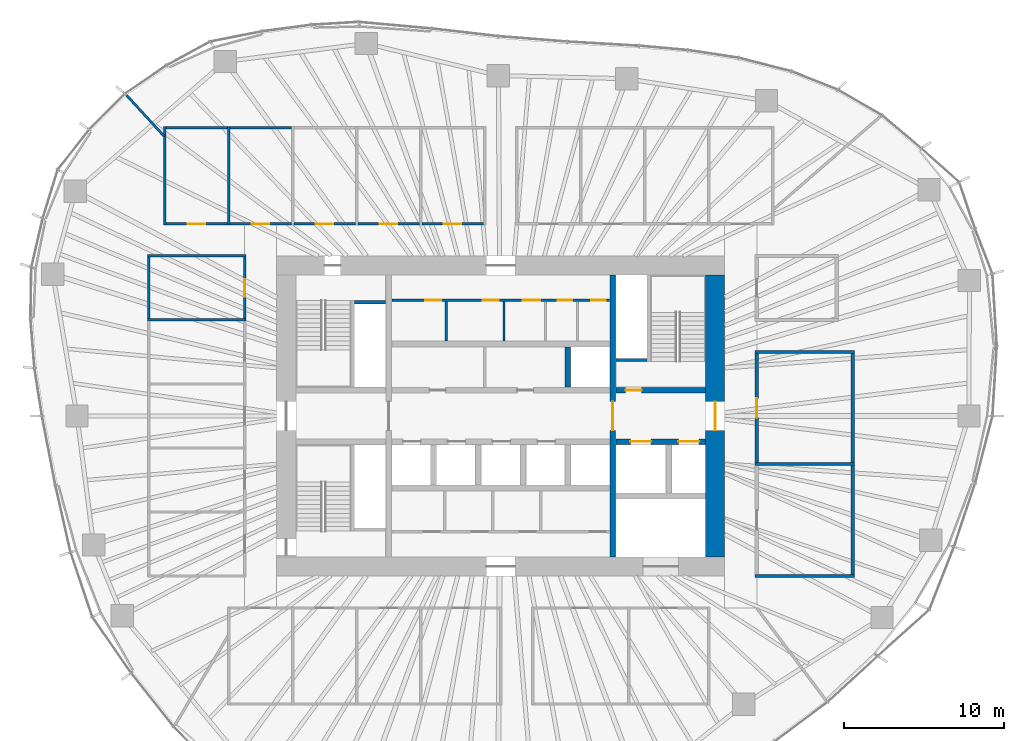
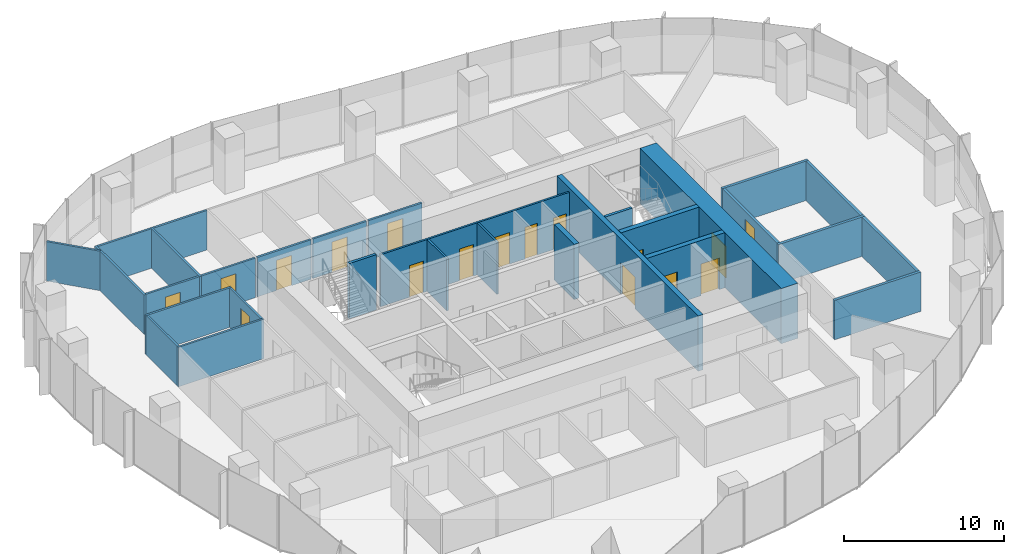
# One storey, part 10 of 18: 30 walls, 17 doors, 17 openings.
"""IFC4 building model written with IfcOpenShell, lengths in metres."""

from ifc_helpers import new_model, si_unit, direction, frame, frame_2d, origin, place, context, subcontext, project, spatial, rectangle, extrude, material, layer, layer_set, type_object, element, fill, save


model = new_model("IFC4")

# Units and contexts
model_context = context("Model", 3, precision=1e-05, world=origin(), true_north=direction((0.0, 1.0)))
body_context = subcontext(model_context, "Body", "Model", "MODEL_VIEW")
ifc_project = project(units=[si_unit("LENGTHUNIT", "METRE"), si_unit("AREAUNIT", "SQUARE_METRE"), si_unit("VOLUMEUNIT", "CUBIC_METRE"), si_unit("PLANEANGLEUNIT", "RADIAN"), si_unit("MASSUNIT", "GRAM", prefix="KILO")], contexts=[model_context])

# Site, building, storey
site_placement = place(None, origin())
site = spatial("IfcSite", under=ifc_project, at=site_placement, CompositionType="ELEMENT")
building_placement = place(site_placement, origin())
building = spatial("IfcBuilding", under=site, at=building_placement, Name="Ghaith Harvest Tower", CompositionType="ELEMENT")
storey_placement = place(building_placement, frame((0.0, 0.0, 168.0)))
storey = spatial("IfcBuildingStorey", under=building, at=storey_placement, Name="L36", CompositionType="ELEMENT", Elevation=168.0)

# Walls
ifc_material_1 = material(Name="Twin-stud gypsum board, acoustic", Category="gypsum")
ifc_layer_1 = layer(ifc_material_1, 0.199951171875)
ifc_layer_set_1 = layer_set([ifc_layer_1], Name="ACOUSTIC PARTITION 200")
wall_type_1 = type_object("IfcWallType", Name="ACOUSTIC PARTITION 200", PredefinedType="PARTITIONING", material=ifc_layer_set_1)
for number, where, z_axis, x_axis, name in (
    (1, (15.89990234375, -10.0, 0.0), (0.0, 0.0, 1.0), (1.0, 0.0, 0.0), "Partition L36 row E3 cross wall 1"),
    (2, (15.89990234375, -3.0, 0.0), (0.0, 0.0, 1.0), (1.0, 0.0, 0.0), "Partition L36 row E3 cross wall 2"),
    (3, (15.89990234375, 4.0, 0.0), (0.0, 0.0, 1.0), (1.0, 0.0, 0.0), "Partition L36 row E3 cross wall 3"),
):
    element("IfcWall", number, at=place(storey_placement, frame(where, z_axis=z_axis, x_axis=x_axis)), inside=storey, type_object=wall_type_1, Name=name, PredefinedType="PARTITIONING", context=body_context, shape_type="SweptSolid", body=[
        extrude(rectangle(XDim=6.2001953125, YDim=0.199951171875, at=frame_2d((3.10009765625, 0.0))), origin(), (0.0, 0.0, 1.0), 3.0),
    ])
wall_1_placement = place(storey_placement, frame((22.0, -9.89990234375, 0.0), z_axis=(0.0, 0.0, 1.0), x_axis=(0.0, 1.0, 0.0)))
element("IfcWall", 4, at=wall_1_placement, inside=storey, type_object=wall_type_1, Name="Partition L36-10", PredefinedType="PARTITIONING", context=body_context, shape_type="SweptSolid", body=[
    extrude(rectangle(XDim=6.7998046875, YDim=0.199951171875, at=frame_2d((3.39990234375, 0.0))), origin(), (0.0, 0.0, 1.0), 3.0),
])

# Wall, opening, door
wall_2_placement = place(storey_placement, frame((16.0, -2.89990234375, 0.0), z_axis=(0.0, 0.0, 1.0), x_axis=(0.0, 1.0, 0.0)))
wall_2 = element("IfcWall", 5, at=wall_2_placement, inside=storey, type_object=wall_type_1, Name="Partition L36-11", PredefinedType="PARTITIONING", context=body_context, shape_type="SweptSolid", body=[
    extrude(rectangle(XDim=6.7998046875, YDim=0.199951171875, at=frame_2d((3.39990234375, 0.0))), origin(), (0.0, 0.0, 1.0), 3.0),
])
opening_1_placement = place(wall_2_placement, frame((2.800048828125, 0.0, 0.0)))
opening_1 = element("IfcOpeningElement", 6, at=opening_1_placement, cuts=wall_2, Name="Opening 36-038", PredefinedType="OPENING", context=body_context, shape_type="SweptSolid", body=[
    extrude(rectangle(XDim=1.199951171875, YDim=2.39990234375, at=frame_2d((0.60009765625, 1.199951171875))), frame((0.0, 0.10986328125, 0.0), z_axis=(0.0, -1.0, 0.0), x_axis=(1.0, 0.0, 0.0)), (0.0, 0.0, 1.0), 0.219970703125),
])
ifc_material_2 = material(Name="Timber door", Category="wood")
door_type_1 = type_object("IfcDoorType", Name="D11 GLAZED 1200x2400", OperationType="SINGLE_SWING_LEFT", PredefinedType="DOOR", material=ifc_material_2)
door_1_placement = place(opening_1_placement, origin())
door_1 = element("IfcDoor", 7, at=door_1_placement, inside=storey, type_object=door_type_1, Name="Meeting room door", OperationType="SINGLE_SWING_LEFT", OverallHeight=2.39990234375, OverallWidth=1.199951171875, PredefinedType="DOOR", context=body_context, shape_type="SweptSolid", body=[
    extrude(rectangle(XDim=1.199951171875, YDim=2.39990234375, at=frame_2d((0.60009765625, 1.199951171875))), frame((0.0, 0.02490234375, 0.0), z_axis=(0.0, -1.0, 0.0), x_axis=(1.0, 0.0, 0.0)), (0.0, 0.0, 1.0), 0.050048828125),
])
fill(opening_1, door_1)

# Wall
wall_3_placement = place(storey_placement, frame((22.0, -2.89990234375, 0.0), z_axis=(0.0, 0.0, 1.0), x_axis=(0.0, 1.0, 0.0)))
element("IfcWall", 8, at=wall_3_placement, inside=storey, type_object=wall_type_1, Name="Partition L36-11", PredefinedType="PARTITIONING", context=body_context, shape_type="SweptSolid", body=[
    extrude(rectangle(XDim=6.7998046875, YDim=0.199951171875, at=frame_2d((3.39990234375, 0.0))), origin(), (0.0, 0.0, 1.0), 3.0),
])

# Wall, openings, doors
ifc_material_3 = material(Name="Concrete blockwork, fair-faced", Category="masonry")
ifc_layer_2 = layer(ifc_material_3, 0.139892578125)
ifc_layer_set_2 = layer_set([ifc_layer_2], Name="CORE PARTITION 140")
wall_type_2 = type_object("IfcWallType", Name="CORE PARTITION 140", PredefinedType="PARTITIONING", material=ifc_layer_set_2)
wall_4_placement = place(storey_placement, frame((-6.800048828125, 7.22998046875, 0.0), z_axis=(0.0, 0.0, 1.0), x_axis=(1.0, 0.0, 0.0)))
wall_4 = element("IfcWall", 9, at=wall_4_placement, inside=storey, type_object=wall_type_2, Name="Core partition L36", PredefinedType="PARTITIONING", context=body_context, shape_type="SweptSolid", body=[
    extrude(rectangle(XDim=13.60009765625, YDim=0.139892578125, at=frame_2d((6.800048828125, 0.0))), origin(), (0.0, 0.0, 1.0), 3.949951171875),
])
opening_2_placement = place(wall_4_placement, frame((2.080078125, 0.0, 0.0)))
opening_2 = element("IfcOpeningElement", 10, at=opening_2_placement, cuts=wall_4, Name="Opening 36-008", PredefinedType="OPENING", context=body_context, shape_type="SweptSolid", body=[
    extrude(rectangle(XDim=1.0, YDim=2.39990234375, at=frame_2d((0.5, 1.199951171875))), frame((0.0, 0.080078125, 0.0), z_axis=(0.0, -1.0, 0.0), x_axis=(1.0, 0.0, 0.0)), (0.0, 0.0, 1.0), 0.159912109375),
])
opening_3_placement = place(wall_4_placement, frame((5.679931640625, 0.0, 0.0)))
opening_3 = element("IfcOpeningElement", 11, at=opening_3_placement, cuts=wall_4, Name="Opening 36-009", PredefinedType="OPENING", context=body_context, shape_type="SweptSolid", body=[
    extrude(rectangle(XDim=1.0, YDim=2.39990234375, at=frame_2d((0.5, 1.199951171875))), frame((0.0, 0.080078125, 0.0), z_axis=(0.0, -1.0, 0.0), x_axis=(1.0, 0.0, 0.0)), (0.0, 0.0, 1.0), 0.159912109375),
])
opening_4_placement = place(wall_4_placement, frame((8.179931640625, 0.0, 0.0)))
opening_4 = element("IfcOpeningElement", 12, at=opening_4_placement, cuts=wall_4, Name="Opening 36-010", PredefinedType="OPENING", context=body_context, shape_type="SweptSolid", body=[
    extrude(rectangle(XDim=1.10009765625, YDim=2.39990234375, at=frame_2d((0.550048828125, 1.199951171875))), frame((0.0, 0.080078125, 0.0), z_axis=(0.0, -1.0, 0.0), x_axis=(1.0, 0.0, 0.0)), (0.0, 0.0, 1.0), 0.159912109375),
])
opening_5_placement = place(wall_4_placement, frame((10.3798828125, 0.0, 0.0)))
opening_5 = element("IfcOpeningElement", 13, at=opening_5_placement, cuts=wall_4, Name="Opening 36-011", PredefinedType="OPENING", context=body_context, shape_type="SweptSolid", body=[
    extrude(rectangle(XDim=0.89990234375, YDim=2.39990234375, at=frame_2d((0.449951171875, 1.199951171875))), frame((0.0, 0.080078125, 0.0), z_axis=(0.0, -1.0, 0.0), x_axis=(1.0, 0.0, 0.0)), (0.0, 0.0, 1.0), 0.159912109375),
])
opening_6_placement = place(wall_4_placement, frame((12.449951171875, 0.0, 0.0)))
opening_6 = element("IfcOpeningElement", 14, at=opening_6_placement, cuts=wall_4, Name="Opening 36-012", PredefinedType="OPENING", context=body_context, shape_type="SweptSolid", body=[
    extrude(rectangle(XDim=0.89990234375, YDim=2.39990234375, at=frame_2d((0.449951171875, 1.199951171875))), frame((0.0, 0.080078125, 0.0), z_axis=(0.0, -1.0, 0.0), x_axis=(1.0, 0.0, 0.0)), (0.0, 0.0, 1.0), 0.159912109375),
])
ifc_material_4 = material(Name="Steel fire door", Category="steel")
door_type_2 = type_object("IfcDoorType", Name="D3 FD90 1000x2400", OperationType="SINGLE_SWING_LEFT", PredefinedType="DOOR", material=ifc_material_4)
door_2_placement = place(opening_2_placement, origin())
door_2 = element("IfcDoor", 15, at=door_2_placement, inside=storey, type_object=door_type_2, Name="Male WC door", OperationType="SINGLE_SWING_LEFT", OverallHeight=2.39990234375, OverallWidth=1.0, PredefinedType="DOOR", context=body_context, shape_type="SweptSolid", body=[
    extrude(rectangle(XDim=1.0, YDim=2.39990234375, at=frame_2d((0.5, 1.199951171875))), frame((0.0, 0.02490234375, 0.0), z_axis=(0.0, -1.0, 0.0), x_axis=(1.0, 0.0, 0.0)), (0.0, 0.0, 1.0), 0.050048828125),
])
fill(opening_2, door_2)
door_3_placement = place(opening_3_placement, origin())
door_3 = element("IfcDoor", 16, at=door_3_placement, inside=storey, type_object=door_type_2, Name="Female WC door", OperationType="SINGLE_SWING_LEFT", OverallHeight=2.39990234375, OverallWidth=1.0, PredefinedType="DOOR", context=body_context, shape_type="SweptSolid", body=[
    extrude(rectangle(XDim=1.0, YDim=2.39990234375, at=frame_2d((0.5, 1.199951171875))), frame((0.0, 0.02490234375, 0.0), z_axis=(0.0, -1.0, 0.0), x_axis=(1.0, 0.0, 0.0)), (0.0, 0.0, 1.0), 0.050048828125),
])
fill(opening_3, door_3)
ifc_material_5 = material(Name="Steel fire door", Category="steel")
door_type_3 = type_object("IfcDoorType", Name="D5 FD90 900x2400", OperationType="SINGLE_SWING_LEFT", PredefinedType="DOOR", material=ifc_material_5)
door_4_placement = place(opening_5_placement, origin())
door_4 = element("IfcDoor", 17, at=door_4_placement, inside=storey, type_object=door_type_3, Name="Store door", OperationType="SINGLE_SWING_RIGHT", OverallHeight=2.39990234375, OverallWidth=0.89990234375, PredefinedType="DOOR", context=body_context, shape_type="SweptSolid", body=[
    extrude(rectangle(XDim=0.89990234375, YDim=2.39990234375, at=frame_2d((0.449951171875, 1.199951171875))), frame((0.0, 0.02490234375, 0.0), z_axis=(0.0, -1.0, 0.0), x_axis=(1.0, 0.0, 0.0)), (0.0, 0.0, 1.0), 0.050048828125),
])
fill(opening_5, door_4)
door_5_placement = place(opening_6_placement, origin())
door_5 = element("IfcDoor", 18, at=door_5_placement, inside=storey, type_object=door_type_3, Name="Cleaner's store door", OperationType="SINGLE_SWING_RIGHT", OverallHeight=2.39990234375, OverallWidth=0.89990234375, PredefinedType="DOOR", context=body_context, shape_type="SweptSolid", body=[
    extrude(rectangle(XDim=0.89990234375, YDim=2.39990234375, at=frame_2d((0.449951171875, 1.199951171875))), frame((0.0, 0.02490234375, 0.0), z_axis=(0.0, -1.0, 0.0), x_axis=(1.0, 0.0, 0.0)), (0.0, 0.0, 1.0), 0.050048828125),
])
fill(opening_6, door_5)
ifc_material_6 = material(Name="Steel fire door", Category="steel")
door_type_4 = type_object("IfcDoorType", Name="D9 FD90 1100x2400", OperationType="SINGLE_SWING_LEFT", PredefinedType="DOOR", material=ifc_material_6)
door_6_placement = place(opening_4_placement, origin())
door_6 = element("IfcDoor", 19, at=door_6_placement, inside=storey, type_object=door_type_4, Name="Accessible WC door", OperationType="SINGLE_SWING_RIGHT", OverallHeight=2.39990234375, OverallWidth=1.10009765625, PredefinedType="DOOR", context=body_context, shape_type="SweptSolid", body=[
    extrude(rectangle(XDim=1.10009765625, YDim=2.39990234375, at=frame_2d((0.550048828125, 1.199951171875))), frame((0.0, 0.02490234375, 0.0), z_axis=(0.0, -1.0, 0.0), x_axis=(1.0, 0.0, 0.0)), (0.0, 0.0, 1.0), 0.050048828125),
])
fill(opening_4, door_6)

# Walls
for number, where, z_axis, x_axis, name in (
    (20, (-3.39990234375, 4.699951171875, 0.0), (0.0, 0.0, 1.0), (0.0, 1.0, 0.0), "Core partition L36"),
    (21, (0.199951171875, 4.699951171875, 0.0), (0.0, 0.0, 1.0), (0.0, 1.0, 0.0), "Core partition L36"),
):
    element("IfcWall", number, at=place(storey_placement, frame(where, z_axis=z_axis, x_axis=x_axis)), inside=storey, type_object=wall_type_2, Name=name, PredefinedType="PARTITIONING", context=body_context, shape_type="SweptSolid", body=[
        extrude(rectangle(XDim=2.4599609375, YDim=0.139892578125, at=frame_2d((1.22998046875, 0.0))), origin(), (0.0, 0.0, 1.0), 3.949951171875),
    ])

# Wall, opening, door
ifc_material_7 = material(Name="Concrete C60/75", Category="concrete")
ifc_layer_3 = layer(ifc_material_7, 1.199951171875)
ifc_layer_set_3 = layer_set([ifc_layer_3], Name="CORE WALL CW1200 C60")
wall_type_3 = type_object("IfcWallType", Name="CORE WALL CW1200 C60", PredefinedType="SHEAR", material=ifc_layer_set_3)
wall_5_placement = place(storey_placement, frame((13.39990234375, -8.800048828125, 0.0), z_axis=(0.0, 0.0, 1.0), x_axis=(0.0, 1.0, 0.0)))
wall_5 = element("IfcWall", 22, at=wall_5_placement, inside=storey, type_object=wall_type_3, Name="Core wall E L36", PredefinedType="SHEAR", context=body_context, shape_type="SweptSolid", body=[
    extrude(rectangle(XDim=17.60009765625, YDim=1.199951171875, at=frame_2d((8.800048828125, 0.0))), origin(), (0.0, 0.0, 1.0), 4.199951171875),
])
opening_7_placement = place(wall_5_placement, frame((7.89990234375, 0.0, 0.0)))
opening_7 = element("IfcOpeningElement", 23, at=opening_7_placement, cuts=wall_5, Name="Opening 36-002", PredefinedType="OPENING", context=body_context, shape_type="SweptSolid", body=[
    extrude(rectangle(XDim=1.800048828125, YDim=2.39990234375, at=frame_2d((0.89990234375, 1.199951171875))), frame((0.0, 0.60986328125, 0.0), z_axis=(0.0, -1.0, 0.0), x_axis=(1.0, 0.0, 0.0)), (0.0, 0.0, 1.0), 1.219970703125),
])
ifc_material_8 = material(Name="Steel fire door", Category="steel")
door_type_5 = type_object("IfcDoorType", Name="D4 FD90 PAIR 1800x2400", OperationType="DOUBLE_DOOR_SINGLE_SWING", PredefinedType="DOOR", material=ifc_material_8)
door_7_placement = place(opening_7_placement, origin())
door_7 = element("IfcDoor", 24, at=door_7_placement, inside=storey, type_object=door_type_5, Name="Fire-fighting lobby doors", OperationType="DOUBLE_DOOR_SINGLE_SWING", OverallHeight=2.39990234375, OverallWidth=1.800048828125, PredefinedType="DOOR", context=body_context, shape_type="SweptSolid", body=[
    extrude(rectangle(XDim=1.800048828125, YDim=2.39990234375, at=frame_2d((0.89990234375, 1.199951171875))), frame((0.0, 0.02490234375, 0.0), z_axis=(0.0, -1.0, 0.0), x_axis=(1.0, 0.0, 0.0)), (0.0, 0.0, 1.0), 0.050048828125),
])
fill(opening_7, door_7)

# Walls
ifc_material_9 = material(Name="Gypsum board on steel studs", Category="steel")
ifc_layer_4 = layer(ifc_material_9, 0.14990234375)
ifc_layer_set_4 = layer_set([ifc_layer_4], Name="PARTITION 150")
wall_type_4 = type_object("IfcWallType", Name="PARTITION 150", PredefinedType="PARTITIONING", material=ifc_layer_set_4)
for number, where, z_axis, x_axis, name in (
    (25, (-21.0, 11.925048828125, 0.0), (0.0, 0.0, 1.0), (0.0, 1.0, 0.0), "Partition L36 row N1 cross wall 1"),
    (26, (-17.0, 11.925048828125, 0.0), (0.0, 0.0, 1.0), (0.0, 1.0, 0.0), "Partition L36 row N1 cross wall 2"),
):
    element("IfcWall", number, at=place(storey_placement, frame(where, z_axis=z_axis, x_axis=x_axis)), inside=storey, type_object=wall_type_4, Name=name, PredefinedType="PARTITIONING", context=body_context, shape_type="SweptSolid", body=[
        extrude(rectangle(XDim=6.14990234375, YDim=0.14990234375, at=frame_2d((3.074951171875, 0.0))), origin(), (0.0, 0.0, 1.0), 3.0),
    ])

# Wall, opening, door
wall_6_placement = place(storey_placement, frame((-20.925048828125, 12.0, 0.0), z_axis=(0.0, 0.0, 1.0), x_axis=(1.0, 0.0, 0.0)))
wall_6 = element("IfcWall", 27, at=wall_6_placement, inside=storey, type_object=wall_type_4, Name="Partition L36-01", PredefinedType="PARTITIONING", context=body_context, shape_type="SweptSolid", body=[
    extrude(rectangle(XDim=3.85009765625, YDim=0.14990234375, at=frame_2d((1.925048828125, 0.0))), origin(), (0.0, 0.0, 1.0), 3.0),
])
opening_8_placement = place(wall_6_placement, frame((1.375, 0.0, 0.0)))
opening_8 = element("IfcOpeningElement", 28, at=opening_8_placement, cuts=wall_6, Name="Opening 36-028", PredefinedType="OPENING", context=body_context, shape_type="SweptSolid", body=[
    extrude(rectangle(XDim=1.10009765625, YDim=2.300048828125, at=frame_2d((0.550048828125, 1.14990234375))), frame((0.0, 0.0849609375, 0.0), z_axis=(0.0, -1.0, 0.0), x_axis=(1.0, 0.0, 0.0)), (0.0, 0.0, 1.0), 0.169921875),
])
ifc_material_10 = material(Name="Timber-framed glazed door", Category="wood")
door_type_6 = type_object("IfcDoorType", Name="D12 GLAZED OFFICE 1100x2300", OperationType="SINGLE_SWING_LEFT", PredefinedType="DOOR", material=ifc_material_10)
door_8_placement = place(opening_8_placement, origin())
door_8 = element("IfcDoor", 29, at=door_8_placement, inside=storey, type_object=door_type_6, Name="Office door", OperationType="SINGLE_SWING_LEFT", OverallHeight=2.300048828125, OverallWidth=1.10009765625, PredefinedType="DOOR", context=body_context, shape_type="SweptSolid", body=[
    extrude(rectangle(XDim=1.10009765625, YDim=2.300048828125, at=frame_2d((0.550048828125, 1.14990234375))), frame((0.0, 0.02490234375, 0.0), z_axis=(0.0, -1.0, 0.0), x_axis=(1.0, 0.0, 0.0)), (0.0, 0.0, 1.0), 0.050048828125),
])
fill(opening_8, door_8)

# Wall
wall_7_placement = place(storey_placement, frame((-20.925048828125, 18.0, 0.0), z_axis=(0.0, 0.0, 1.0), x_axis=(1.0, 0.0, 0.0)))
element("IfcWall", 30, at=wall_7_placement, inside=storey, type_object=wall_type_4, Name="Partition L36-01", PredefinedType="PARTITIONING", context=body_context, shape_type="SweptSolid", body=[
    extrude(rectangle(XDim=3.85009765625, YDim=0.14990234375, at=frame_2d((1.925048828125, 0.0))), origin(), (0.0, 0.0, 1.0), 3.0),
])

# Wall, opening, door
wall_8_placement = place(storey_placement, frame((-16.925048828125, 12.0, 0.0), z_axis=(0.0, 0.0, 1.0), x_axis=(1.0, 0.0, 0.0)))
wall_8 = element("IfcWall", 31, at=wall_8_placement, inside=storey, type_object=wall_type_4, Name="Partition L36-02", PredefinedType="PARTITIONING", context=body_context, shape_type="SweptSolid", body=[
    extrude(rectangle(XDim=3.85009765625, YDim=0.14990234375, at=frame_2d((1.925048828125, 0.0))), origin(), (0.0, 0.0, 1.0), 3.0),
])
opening_9_placement = place(wall_8_placement, frame((1.375, 0.0, 0.0)))
opening_9 = element("IfcOpeningElement", 32, at=opening_9_placement, cuts=wall_8, Name="Opening 36-029", PredefinedType="OPENING", context=body_context, shape_type="SweptSolid", body=[
    extrude(rectangle(XDim=1.10009765625, YDim=2.300048828125, at=frame_2d((0.550048828125, 1.14990234375))), frame((0.0, 0.0849609375, 0.0), z_axis=(0.0, -1.0, 0.0), x_axis=(1.0, 0.0, 0.0)), (0.0, 0.0, 1.0), 0.169921875),
])
door_9_placement = place(opening_9_placement, origin())
door_9 = element("IfcDoor", 33, at=door_9_placement, inside=storey, type_object=door_type_6, Name="Office door", OperationType="SINGLE_SWING_LEFT", OverallHeight=2.300048828125, OverallWidth=1.10009765625, PredefinedType="DOOR", context=body_context, shape_type="SweptSolid", body=[
    extrude(rectangle(XDim=1.10009765625, YDim=2.300048828125, at=frame_2d((0.550048828125, 1.14990234375))), frame((0.0, 0.02490234375, 0.0), z_axis=(0.0, -1.0, 0.0), x_axis=(1.0, 0.0, 0.0)), (0.0, 0.0, 1.0), 0.050048828125),
])
fill(opening_9, door_9)

# Wall
wall_9_placement = place(storey_placement, frame((-16.925048828125, 18.0, 0.0), z_axis=(0.0, 0.0, 1.0), x_axis=(1.0, 0.0, 0.0)))
element("IfcWall", 34, at=wall_9_placement, inside=storey, type_object=wall_type_4, Name="Partition L36-02", PredefinedType="PARTITIONING", context=body_context, shape_type="SweptSolid", body=[
    extrude(rectangle(XDim=3.85009765625, YDim=0.14990234375, at=frame_2d((1.925048828125, 0.0))), origin(), (0.0, 0.0, 1.0), 3.0),
])

# Wall, opening, door
wall_10_placement = place(storey_placement, frame((-12.925048828125, 12.0, 0.0), z_axis=(0.0, 0.0, 1.0), x_axis=(1.0, 0.0, 0.0)))
wall_10 = element("IfcWall", 35, at=wall_10_placement, inside=storey, type_object=wall_type_4, Name="Partition L36-03", PredefinedType="PARTITIONING", context=body_context, shape_type="SweptSolid", body=[
    extrude(rectangle(XDim=3.85009765625, YDim=0.14990234375, at=frame_2d((1.925048828125, 0.0))), origin(), (0.0, 0.0, 1.0), 3.0),
])
opening_10_placement = place(wall_10_placement, frame((1.375, 0.0, 0.0)))
opening_10 = element("IfcOpeningElement", 36, at=opening_10_placement, cuts=wall_10, Name="Opening 36-030", PredefinedType="OPENING", context=body_context, shape_type="SweptSolid", body=[
    extrude(rectangle(XDim=1.10009765625, YDim=2.300048828125, at=frame_2d((0.550048828125, 1.14990234375))), frame((0.0, 0.0849609375, 0.0), z_axis=(0.0, -1.0, 0.0), x_axis=(1.0, 0.0, 0.0)), (0.0, 0.0, 1.0), 0.169921875),
])
door_10_placement = place(opening_10_placement, origin())
door_10 = element("IfcDoor", 37, at=door_10_placement, inside=storey, type_object=door_type_6, Name="Office door", OperationType="SINGLE_SWING_LEFT", OverallHeight=2.300048828125, OverallWidth=1.10009765625, PredefinedType="DOOR", context=body_context, shape_type="SweptSolid", body=[
    extrude(rectangle(XDim=1.10009765625, YDim=2.300048828125, at=frame_2d((0.550048828125, 1.14990234375))), frame((0.0, 0.02490234375, 0.0), z_axis=(0.0, -1.0, 0.0), x_axis=(1.0, 0.0, 0.0)), (0.0, 0.0, 1.0), 0.050048828125),
])
fill(opening_10, door_10)

wall_11_placement = place(storey_placement, frame((-8.925048828125, 12.0, 0.0), z_axis=(0.0, 0.0, 1.0), x_axis=(1.0, 0.0, 0.0)))
wall_11 = element("IfcWall", 38, at=wall_11_placement, inside=storey, type_object=wall_type_4, Name="Partition L36-04", PredefinedType="PARTITIONING", context=body_context, shape_type="SweptSolid", body=[
    extrude(rectangle(XDim=3.85009765625, YDim=0.14990234375, at=frame_2d((1.925048828125, 0.0))), origin(), (0.0, 0.0, 1.0), 3.0),
])
opening_11_placement = place(wall_11_placement, frame((1.375, 0.0, 0.0)))
opening_11 = element("IfcOpeningElement", 39, at=opening_11_placement, cuts=wall_11, Name="Opening 36-031", PredefinedType="OPENING", context=body_context, shape_type="SweptSolid", body=[
    extrude(rectangle(XDim=1.10009765625, YDim=2.300048828125, at=frame_2d((0.550048828125, 1.14990234375))), frame((0.0, 0.0849609375, 0.0), z_axis=(0.0, -1.0, 0.0), x_axis=(1.0, 0.0, 0.0)), (0.0, 0.0, 1.0), 0.169921875),
])
door_11_placement = place(opening_11_placement, origin())
door_11 = element("IfcDoor", 40, at=door_11_placement, inside=storey, type_object=door_type_6, Name="Office door", OperationType="SINGLE_SWING_LEFT", OverallHeight=2.300048828125, OverallWidth=1.10009765625, PredefinedType="DOOR", context=body_context, shape_type="SweptSolid", body=[
    extrude(rectangle(XDim=1.10009765625, YDim=2.300048828125, at=frame_2d((0.550048828125, 1.14990234375))), frame((0.0, 0.02490234375, 0.0), z_axis=(0.0, -1.0, 0.0), x_axis=(1.0, 0.0, 0.0)), (0.0, 0.0, 1.0), 0.050048828125),
])
fill(opening_11, door_11)

wall_12_placement = place(storey_placement, frame((-4.925048828125, 12.0, 0.0), z_axis=(0.0, 0.0, 1.0), x_axis=(1.0, 0.0, 0.0)))
wall_12 = element("IfcWall", 41, at=wall_12_placement, inside=storey, type_object=wall_type_4, Name="Partition L36-05", PredefinedType="PARTITIONING", context=body_context, shape_type="SweptSolid", body=[
    extrude(rectangle(XDim=3.85009765625, YDim=0.14990234375, at=frame_2d((1.925048828125, 0.0))), origin(), (0.0, 0.0, 1.0), 3.0),
])
opening_12_placement = place(wall_12_placement, frame((1.375, 0.0, 0.0)))
opening_12 = element("IfcOpeningElement", 42, at=opening_12_placement, cuts=wall_12, Name="Opening 36-032", PredefinedType="OPENING", context=body_context, shape_type="SweptSolid", body=[
    extrude(rectangle(XDim=1.10009765625, YDim=2.300048828125, at=frame_2d((0.550048828125, 1.14990234375))), frame((0.0, 0.0849609375, 0.0), z_axis=(0.0, -1.0, 0.0), x_axis=(1.0, 0.0, 0.0)), (0.0, 0.0, 1.0), 0.169921875),
])
door_12_placement = place(opening_12_placement, origin())
door_12 = element("IfcDoor", 43, at=door_12_placement, inside=storey, type_object=door_type_6, Name="Office door", OperationType="SINGLE_SWING_LEFT", OverallHeight=2.300048828125, OverallWidth=1.10009765625, PredefinedType="DOOR", context=body_context, shape_type="SweptSolid", body=[
    extrude(rectangle(XDim=1.10009765625, YDim=2.300048828125, at=frame_2d((0.550048828125, 1.14990234375))), frame((0.0, 0.02490234375, 0.0), z_axis=(0.0, -1.0, 0.0), x_axis=(1.0, 0.0, 0.0)), (0.0, 0.0, 1.0), 0.050048828125),
])
fill(opening_12, door_12)

# Walls
for number, where, z_axis, x_axis, name in (
    (44, (-15.925048828125, 6.0, 0.0), (0.0, 0.0, 1.0), (-1.0, 0.0, 0.0), "Partition L36 row W6 cross wall 5"),
    (45, (-15.925048828125, 10.0, 0.0), (0.0, 0.0, 1.0), (-1.0, 0.0, 0.0), "Partition L36 row W6 cross wall 6"),
):
    element("IfcWall", number, at=place(storey_placement, frame(where, z_axis=z_axis, x_axis=x_axis)), inside=storey, type_object=wall_type_4, Name=name, PredefinedType="PARTITIONING", context=body_context, shape_type="SweptSolid", body=[
        extrude(rectangle(XDim=6.14990234375, YDim=0.14990234375, at=frame_2d((3.074951171875, 0.0))), origin(), (0.0, 0.0, 1.0), 3.0),
    ])

# Wall, opening, door
wall_13_placement = place(storey_placement, frame((-16.0, 6.074951171875, 0.0), z_axis=(0.0, 0.0, 1.0), x_axis=(0.0, 1.0, 0.0)))
wall_13 = element("IfcWall", 46, at=wall_13_placement, inside=storey, type_object=wall_type_4, Name="Partition L36-22", PredefinedType="PARTITIONING", context=body_context, shape_type="SweptSolid", body=[
    extrude(rectangle(XDim=3.85009765625, YDim=0.14990234375, at=frame_2d((1.925048828125, 0.0))), origin(), (0.0, 0.0, 1.0), 3.0),
])
opening_13_placement = place(wall_13_placement, frame((1.375, 0.0, 0.0)))
opening_13 = element("IfcOpeningElement", 47, at=opening_13_placement, cuts=wall_13, Name="Opening 36-049", PredefinedType="OPENING", context=body_context, shape_type="SweptSolid", body=[
    extrude(rectangle(XDim=1.10009765625, YDim=2.300048828125, at=frame_2d((0.550048828125, 1.14990234375))), frame((0.0, 0.0849609375, 0.0), z_axis=(0.0, -1.0, 0.0), x_axis=(1.0, 0.0, 0.0)), (0.0, 0.0, 1.0), 0.169921875),
])
door_13_placement = place(opening_13_placement, origin())
door_13 = element("IfcDoor", 48, at=door_13_placement, inside=storey, type_object=door_type_6, Name="Office door", OperationType="SINGLE_SWING_LEFT", OverallHeight=2.300048828125, OverallWidth=1.10009765625, PredefinedType="DOOR", context=body_context, shape_type="SweptSolid", body=[
    extrude(rectangle(XDim=1.10009765625, YDim=2.300048828125, at=frame_2d((0.550048828125, 1.14990234375))), frame((0.0, 0.02490234375, 0.0), z_axis=(0.0, -1.0, 0.0), x_axis=(1.0, 0.0, 0.0)), (0.0, 0.0, 1.0), 0.050048828125),
])
fill(opening_13, door_13)

# Walls
wall_14_placement = place(storey_placement, frame((-22.0, 6.074951171875, 0.0), z_axis=(0.0, 0.0, 1.0), x_axis=(0.0, 1.0, 0.0)))
element("IfcWall", 49, at=wall_14_placement, inside=storey, type_object=wall_type_4, Name="Partition L36-22", PredefinedType="PARTITIONING", context=body_context, shape_type="SweptSolid", body=[
    extrude(rectangle(XDim=3.85009765625, YDim=0.14990234375, at=frame_2d((1.925048828125, 0.0))), origin(), (0.0, 0.0, 1.0), 3.0),
])
wall_15_placement = place(storey_placement, frame((-21.02001953125, 17.4697265625, 0.0), z_axis=(0.0, 0.0, 1.0), x_axis=(-0.67615762792, 0.736756989927, 0.0)))
element("IfcWall", 50, at=wall_15_placement, inside=storey, type_object=wall_type_4, Name="Partition L36 zone division", PredefinedType="PARTITIONING", context=body_context, shape_type="SweptSolid", body=[
    extrude(rectangle(XDim=3.4970703125, YDim=0.14990234375, at=frame_2d((1.74853515625, 0.0))), origin(), (0.0, 0.0, 1.0), 3.0),
])

# Wall, opening, door
ifc_material_11 = material(Name="Concrete C60/75", Category="concrete")
ifc_layer_5 = layer(ifc_material_11, 0.35009765625)
ifc_layer_set_5 = layer_set([ifc_layer_5], Name="SHAFT WALL 350")
wall_type_5 = type_object("IfcWallType", Name="SHAFT WALL 350", PredefinedType="SHEAR", material=ifc_layer_set_5)
wall_16_placement = place(storey_placement, frame((7.0, -8.800048828125, 0.0), z_axis=(0.0, 0.0, 1.0), x_axis=(0.0, 1.0, 0.0)))
wall_16 = element("IfcWall", 51, at=wall_16_placement, inside=storey, type_object=wall_type_5, Name="Shaft wall W7E L36", PredefinedType="SHEAR", context=body_context, shape_type="SweptSolid", body=[
    extrude(rectangle(XDim=17.60009765625, YDim=0.35009765625, at=frame_2d((8.800048828125, 0.0))), origin(), (0.0, 0.0, 1.0), 4.199951171875),
])
opening_14_placement = place(wall_16_placement, frame((7.89990234375, 0.0, 0.0)))
opening_14 = element("IfcOpeningElement", 52, at=opening_14_placement, cuts=wall_16, Name="Opening 36-004", PredefinedType="OPENING", context=body_context, shape_type="SweptSolid", body=[
    extrude(rectangle(XDim=1.800048828125, YDim=2.39990234375, at=frame_2d((0.89990234375, 1.199951171875))), frame((0.0, 0.18505859375, 0.0), z_axis=(0.0, -1.0, 0.0), x_axis=(1.0, 0.0, 0.0)), (0.0, 0.0, 1.0), 0.3701171875),
])
door_14_placement = place(opening_14_placement, origin())
door_14 = element("IfcDoor", 53, at=door_14_placement, inside=storey, type_object=door_type_5, Name="Lift lobby doors, east", OperationType="DOUBLE_DOOR_SINGLE_SWING", OverallHeight=2.39990234375, OverallWidth=1.800048828125, PredefinedType="DOOR", context=body_context, shape_type="SweptSolid", body=[
    extrude(rectangle(XDim=1.800048828125, YDim=2.39990234375, at=frame_2d((0.89990234375, 1.199951171875))), frame((0.0, 0.02490234375, 0.0), z_axis=(0.0, -1.0, 0.0), x_axis=(1.0, 0.0, 0.0)), (0.0, 0.0, 1.0), 0.050048828125),
])
fill(opening_14, door_14)

wall_17_placement = place(storey_placement, frame((7.199951171875, 1.60009765625, 0.0), z_axis=(0.0, 0.0, 1.0), x_axis=(1.0, 0.0, 0.0)))
wall_17 = element("IfcWall", 54, at=wall_17_placement, inside=storey, type_object=wall_type_5, Name="Shaft wall EN L36", PredefinedType="SHEAR", context=body_context, shape_type="SweptSolid", body=[
    extrude(rectangle(XDim=5.60009765625, YDim=0.35009765625, at=frame_2d((2.800048828125, 0.0))), origin(), (0.0, 0.0, 1.0), 4.199951171875),
])
opening_15_placement = place(wall_17_placement, frame((0.60009765625, 0.0, 0.0)))
opening_15 = element("IfcOpeningElement", 55, at=opening_15_placement, cuts=wall_17, Name="Opening 36-007", PredefinedType="OPENING", context=body_context, shape_type="SweptSolid", body=[
    extrude(rectangle(XDim=1.0, YDim=2.39990234375, at=frame_2d((0.5, 1.199951171875))), frame((0.0, 0.18505859375, 0.0), z_axis=(0.0, -1.0, 0.0), x_axis=(1.0, 0.0, 0.0)), (0.0, 0.0, 1.0), 0.3701171875),
])
door_15_placement = place(opening_15_placement, origin())
door_15 = element("IfcDoor", 56, at=door_15_placement, inside=storey, type_object=door_type_2, Name="Stair ST2 door", OperationType="SINGLE_SWING_LEFT", OverallHeight=2.39990234375, OverallWidth=1.0, PredefinedType="DOOR", context=body_context, shape_type="SweptSolid", body=[
    extrude(rectangle(XDim=1.0, YDim=2.39990234375, at=frame_2d((0.5, 1.199951171875))), frame((0.0, 0.02490234375, 0.0), z_axis=(0.0, -1.0, 0.0), x_axis=(1.0, 0.0, 0.0)), (0.0, 0.0, 1.0), 0.050048828125),
])
fill(opening_15, door_15)

# Wall, openings, doors
wall_18_placement = place(storey_placement, frame((7.199951171875, -1.60009765625, 0.0), z_axis=(0.0, 0.0, 1.0), x_axis=(1.0, 0.0, 0.0)))
wall_18 = element("IfcWall", 57, at=wall_18_placement, inside=storey, type_object=wall_type_5, Name="Shaft wall ES L36", PredefinedType="SHEAR", context=body_context, shape_type="SweptSolid", body=[
    extrude(rectangle(XDim=5.60009765625, YDim=0.35009765625, at=frame_2d((2.800048828125, 0.0))), origin(), (0.0, 0.0, 1.0), 4.199951171875),
])
opening_16_placement = place(wall_18_placement, frame((0.89990234375, 0.0, 0.0)))
opening_16 = element("IfcOpeningElement", 58, at=opening_16_placement, cuts=wall_18, Name="Opening 36-025", PredefinedType="OPENING", context=body_context, shape_type="SweptSolid", body=[
    extrude(rectangle(XDim=1.300048828125, YDim=2.39990234375, at=frame_2d((0.64990234375, 1.199951171875))), frame((0.0, 0.18505859375, 0.0), z_axis=(0.0, -1.0, 0.0), x_axis=(1.0, 0.0, 0.0)), (0.0, 0.0, 1.0), 0.3701171875),
])
opening_17_placement = place(wall_18_placement, frame((3.89990234375, 0.0, 0.0)))
opening_17 = element("IfcOpeningElement", 59, at=opening_17_placement, cuts=wall_18, Name="Opening 36-026", PredefinedType="OPENING", context=body_context, shape_type="SweptSolid", body=[
    extrude(rectangle(XDim=1.300048828125, YDim=2.39990234375, at=frame_2d((0.64990234375, 1.199951171875))), frame((0.0, 0.18505859375, 0.0), z_axis=(0.0, -1.0, 0.0), x_axis=(1.0, 0.0, 0.0)), (0.0, 0.0, 1.0), 0.3701171875),
])
ifc_material_12 = material(Name="Steel fire door", Category="steel")
door_type_7 = type_object("IfcDoorType", Name="LD2 LANDING 1300x2400", OperationType="DOUBLE_DOOR_SLIDING", PredefinedType="DOOR", material=ifc_material_12)
door_16_placement = place(opening_16_placement, origin())
door_16 = element("IfcDoor", 60, at=door_16_placement, inside=storey, type_object=door_type_7, Name="Landing door, fire service lift FL1", OperationType="DOUBLE_DOOR_SLIDING", OverallHeight=2.39990234375, OverallWidth=1.300048828125, PredefinedType="DOOR", context=body_context, shape_type="SweptSolid", body=[
    extrude(rectangle(XDim=1.300048828125, YDim=2.39990234375, at=frame_2d((0.64990234375, 1.199951171875))), frame((0.0, 0.02490234375, 0.0), z_axis=(0.0, -1.0, 0.0), x_axis=(1.0, 0.0, 0.0)), (0.0, 0.0, 1.0), 0.050048828125),
])
fill(opening_16, door_16)
door_17_placement = place(opening_17_placement, origin())
door_17 = element("IfcDoor", 61, at=door_17_placement, inside=storey, type_object=door_type_7, Name="Landing door, fire service lift FL2", OperationType="DOUBLE_DOOR_SLIDING", OverallHeight=2.39990234375, OverallWidth=1.300048828125, PredefinedType="DOOR", context=body_context, shape_type="SweptSolid", body=[
    extrude(rectangle(XDim=1.300048828125, YDim=2.39990234375, at=frame_2d((0.64990234375, 1.199951171875))), frame((0.0, 0.02490234375, 0.0), z_axis=(0.0, -1.0, 0.0), x_axis=(1.0, 0.0, 0.0)), (0.0, 0.0, 1.0), 0.050048828125),
])
fill(opening_17, door_17)

# Walls
wall_19_placement = place(storey_placement, frame((4.199951171875, 1.800048828125, 0.0), z_axis=(0.0, 0.0, 1.0), x_axis=(0.0, 1.0, 0.0)))
element("IfcWall", 62, at=wall_19_placement, inside=storey, type_object=wall_type_5, Name="Shaft wall DN4 L36", PredefinedType="SHEAR", context=body_context, shape_type="SweptSolid", body=[
    extrude(rectangle(XDim=2.5, YDim=0.35009765625, at=frame_2d((1.25, 0.0))), origin(), (0.0, 0.0, 1.0), 4.199951171875),
])
ifc_material_13 = material(Name="Concrete C40/50", Category="concrete")
ifc_layer_6 = layer(ifc_material_13, 0.199951171875)
ifc_layer_set_6 = layer_set([ifc_layer_6], Name="STAIR SPINE WALL RC200")
wall_type_6 = type_object("IfcWallType", Name="STAIR SPINE WALL RC200", PredefinedType="SOLIDWALL", material=ifc_layer_set_6)
for number, where, z_axis, x_axis, name in (
    (63, (-9.14990234375, 7.10009765625, 0.0), (0.0, 0.0, 1.0), (1.0, 0.0, 0.0), "Stair ST1 spine wall return L36"),
    (64, (9.14990234375, 3.5, 0.0), (0.0, 0.0, 1.0), (-1.0, 0.0, 0.0), "Stair ST2 spine wall return L36"),
):
    element("IfcWall", number, at=place(storey_placement, frame(where, z_axis=z_axis, x_axis=x_axis)), inside=storey, type_object=wall_type_6, Name=name, PredefinedType="SOLIDWALL", context=body_context, shape_type="SweptSolid", body=[
        extrude(rectangle(XDim=1.949951171875, YDim=0.199951171875, at=frame_2d((0.97509765625, 0.0))), origin(), (0.0, 0.0, 1.0), 4.199951171875),
    ])

save(model, "model.ifc")
